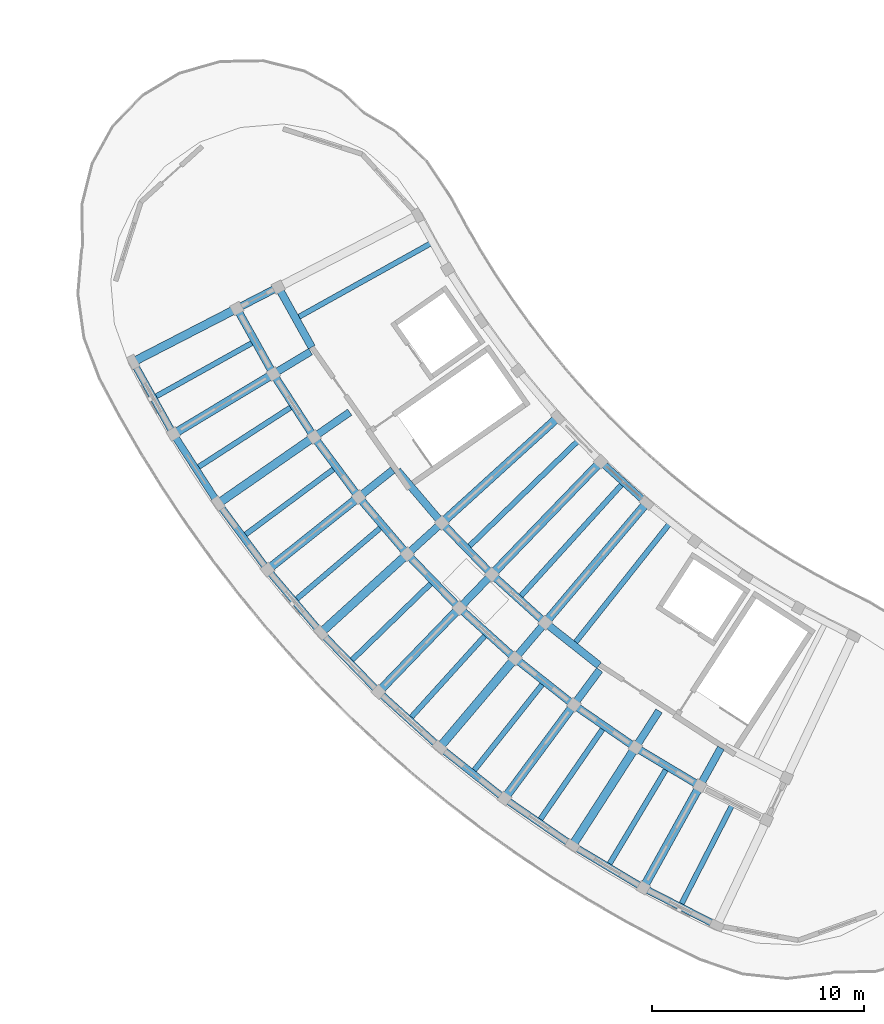
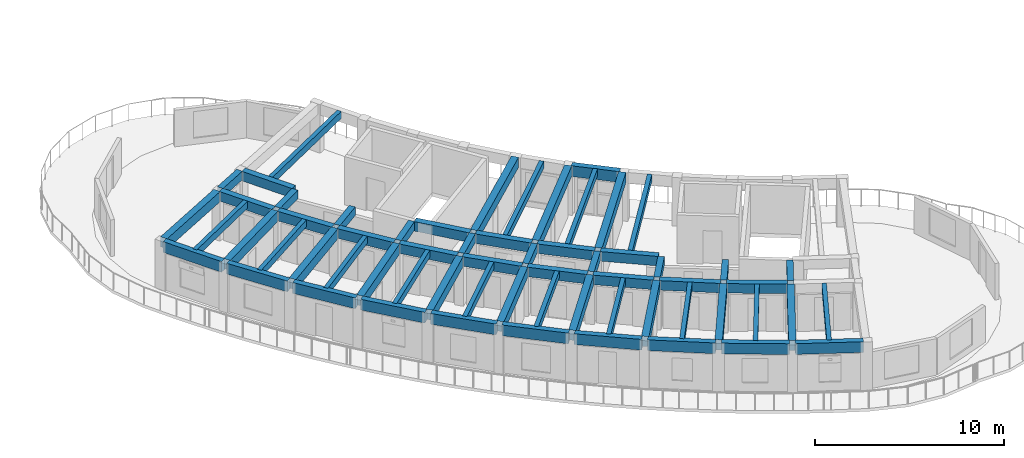
# One storey, part 3 of 41: 62 beams.
"""IFC4 building model written with IfcOpenShell, lengths in metres."""

from ifc_helpers import new_model, si_unit, direction, frame, origin, origin_2d, place, context, subcontext, project, spatial, rectangle, extrude, material, material_profile, profile_set, type_object, element, save


model = new_model("IFC4")

# Units and contexts
model_context = context("Model", 3, precision=1e-05, world=origin(), true_north=direction((0.0, 1.0)))
body_context = subcontext(model_context, "Body", "Model", "MODEL_VIEW")
ifc_project = project(units=[si_unit("LENGTHUNIT", "METRE"), si_unit("AREAUNIT", "SQUARE_METRE"), si_unit("VOLUMEUNIT", "CUBIC_METRE"), si_unit("PLANEANGLEUNIT", "RADIAN"), si_unit("MASSUNIT", "GRAM", prefix="KILO")], contexts=[model_context])

# Site, building, storey
site_placement = place(None, origin())
site = spatial("IfcSite", under=ifc_project, at=site_placement, CompositionType="ELEMENT")
building_placement = place(site_placement, origin())
building = spatial("IfcBuilding", under=site, at=building_placement, Name="Tanwirah Colonnade Gardens", CompositionType="ELEMENT")
storey_placement = place(building_placement, frame((0.0, 0.0, 35.719970703125)))
storey = spatial("IfcBuildingStorey", under=building, at=storey_placement, Name="L10", CompositionType="ELEMENT", Elevation=35.719970703125)

# Beams
ifc_material_1 = material(Name="Precast concrete C40/50", Category="concrete")
ifc_material_profile_1 = material_profile(ifc_material_1, rectangle(XDim=0.360107421875, YDim=0.610107421875, at=origin_2d()), Name="PC-BM 360x610")
ifc_profile_set_1 = profile_set([ifc_material_profile_1], Name="Precast concrete C40/50")
beam_type_1 = type_object("IfcBeamType", Name="BM-PC300", PredefinedType="BEAM", material=ifc_profile_set_1)
beam_1_placement = place(storey_placement, frame((18.9775390625, 40.628173828125, 2.820068359375), z_axis=(0.486708181837, -0.873564620239, 0.0), x_axis=(0.873564620239, 0.486708181837, 0.0)))
element("IfcBeam", 1, at=beam_1_placement, inside=storey, type_object=beam_type_1, Name="Block C L10 Circumferential Beam 3-R1", PredefinedType="BEAM", context=body_context, shape_type="SweptSolid", body=[
    extrude(rectangle(XDim=0.360107421875, YDim=0.610107421875, at=origin_2d()), origin(), (0.0, 0.0, 1.0), 3.093017578125),
])
for number, where, z_axis, x_axis, name in (
    (2, (17.021728515625, 39.620849609375, 2.820068359375), (0.486712025227, -0.873562478875, 0.0), (0.873562478875, 0.486712025227, 0.0), "Block C L10 Circumferential Beam 3-R2"),
    (3, (18.75146484375, 36.5361328125, 2.820068359375), (0.542825891173, -0.839845254718, 0.0), (0.839845254718, 0.542825891173, 0.0), "Block C L10 Circumferential Beam 4-R2"),
):
    element("IfcBeam", number, at=place(storey_placement, frame(where, z_axis=z_axis, x_axis=x_axis)), inside=storey, type_object=beam_type_1, Name=name, PredefinedType="BEAM", context=body_context, shape_type="SweptSolid", body=[
        extrude(rectangle(XDim=0.360107421875, YDim=0.610107421875, at=origin_2d()), origin(), (0.0, 0.0, 1.0), 3.23681640625),
    ])
beam_2_placement = place(storey_placement, frame((20.679443359375, 33.5712890625, 2.820068359375), z_axis=(0.596579473879, -0.802554005252, 0.0), x_axis=(0.802554005252, 0.596579473879, 0.0)))
element("IfcBeam", 4, at=beam_2_placement, inside=storey, type_object=beam_type_1, Name="Block C L10 Circumferential Beam 5-R2", PredefinedType="BEAM", context=body_context, shape_type="SweptSolid", body=[
    extrude(rectangle(XDim=0.360107421875, YDim=0.610107421875, at=origin_2d()), origin(), (0.0, 0.0, 1.0), 3.237060546875),
])
beam_3_placement = place(storey_placement, frame((24.51904296875, 32.1083984375, 2.820068359375), z_axis=(0.647730901566, -0.761869200819, 0.0), x_axis=(0.761869200819, 0.647730901566, 0.0)))
element("IfcBeam", 5, at=beam_3_placement, inside=storey, type_object=beam_type_1, Name="Block C L10 Circumferential Beam 6-R1", PredefinedType="BEAM", context=body_context, shape_type="SweptSolid", body=[
    extrude(rectangle(XDim=0.360107421875, YDim=0.610107421875, at=origin_2d()), origin(), (0.0, 0.0, 1.0), 3.093017578125),
])
beam_4_placement = place(storey_placement, frame((22.797119140625, 30.73876953125, 2.820068359375), z_axis=(0.6478235549, -0.761790418499, 0.0), x_axis=(0.761790418499, 0.6478235549, 0.0)))
element("IfcBeam", 6, at=beam_4_placement, inside=storey, type_object=beam_type_1, Name="Block C L10 Circumferential Beam 6-R2", PredefinedType="BEAM", context=body_context, shape_type="SweptSolid", body=[
    extrude(rectangle(XDim=0.360107421875, YDim=0.610107421875, at=origin_2d()), origin(), (0.0, 0.0, 1.0), 3.23681640625),
])
beam_5_placement = place(storey_placement, frame((26.72412109375, 29.530029296875, 2.820068359375), z_axis=(0.696209937932, -0.71783822852, 0.0), x_axis=(0.71783822852, 0.696209937932, 0.0)))
element("IfcBeam", 7, at=beam_5_placement, inside=storey, type_object=beam_type_1, Name="Block C L10 Circumferential Beam 7-R1", PredefinedType="BEAM", context=body_context, shape_type="SweptSolid", body=[
    extrude(rectangle(XDim=0.360107421875, YDim=0.610107421875, at=origin_2d()), origin(), (0.0, 0.0, 1.0), 3.093017578125),
])
beam_6_placement = place(storey_placement, frame((25.095703125, 28.05078125, 2.820068359375), z_axis=(0.696238887656, -0.717810149911, 0.0), x_axis=(0.717810149911, 0.696238887656, 0.0)))
element("IfcBeam", 8, at=beam_6_placement, inside=storey, type_object=beam_type_1, Name="Block C L10 Circumferential Beam 7-R2", PredefinedType="BEAM", context=body_context, shape_type="SweptSolid", body=[
    extrude(rectangle(XDim=0.360107421875, YDim=0.610107421875, at=origin_2d()), origin(), (0.0, 0.0, 1.0), 3.23681640625),
])
beam_7_placement = place(storey_placement, frame((29.09326171875, 27.1015625, 2.820068359375), z_axis=(0.741698455559, -0.670733479873, 0.0), x_axis=(0.670733479873, 0.741698455559, 0.0)))
element("IfcBeam", 9, at=beam_7_placement, inside=storey, type_object=beam_type_1, Name="Block C L10 Circumferential Beam 8-R1", PredefinedType="BEAM", context=body_context, shape_type="SweptSolid", body=[
    extrude(rectangle(XDim=0.360107421875, YDim=0.610107421875, at=origin_2d()), origin(), (0.0, 0.0, 1.0), 3.0927734375),
])
beam_8_placement = place(storey_placement, frame((27.56494140625, 25.51904296875, 2.820068359375), z_axis=(0.741701929733, -0.670729638104, 0.0), x_axis=(0.670729638104, 0.741701929733, 0.0)))
element("IfcBeam", 10, at=beam_8_placement, inside=storey, type_object=beam_type_1, Name="Block C L10 Circumferential Beam 8-R2", PredefinedType="BEAM", context=body_context, shape_type="SweptSolid", body=[
    extrude(rectangle(XDim=0.360107421875, YDim=0.610107421875, at=origin_2d()), origin(), (0.0, 0.0, 1.0), 3.237060546875),
])
beam_9_placement = place(storey_placement, frame((31.615966796875, 24.833251953125, 2.820068359375), z_axis=(0.783962588163, -0.62080807047, 0.0), x_axis=(0.62080807047, 0.783962588163, 0.0)))
element("IfcBeam", 11, at=beam_9_placement, inside=storey, type_object=beam_type_1, Name="Block C L10 Circumferential Beam 9-R1", PredefinedType="BEAM", context=body_context, shape_type="SweptSolid", body=[
    extrude(rectangle(XDim=0.360107421875, YDim=0.610107421875, at=origin_2d()), origin(), (0.0, 0.0, 1.0), 3.093017578125),
])
beam_10_placement = place(storey_placement, frame((30.194580078125, 23.154052734375, 2.820068359375), z_axis=(0.783993819374, -0.620768629349, 0.0), x_axis=(0.620768629349, 0.783993819374, 0.0)))
element("IfcBeam", 12, at=beam_10_placement, inside=storey, type_object=beam_type_1, Name="Block C L10 Circumferential Beam 9-R2", PredefinedType="BEAM", context=body_context, shape_type="SweptSolid", body=[
    extrude(rectangle(XDim=0.360107421875, YDim=0.610107421875, at=origin_2d()), origin(), (0.0, 0.0, 1.0), 3.23681640625),
])
beam_11_placement = place(storey_placement, frame((32.97314453125, 20.96630859375, 2.820068359375), z_axis=(0.822889344221, -0.568201660651, 0.0), x_axis=(0.568201660651, 0.822889344221, 0.0)))
element("IfcBeam", 13, at=beam_11_placement, inside=storey, type_object=beam_type_1, Name="Block C L10 Circumferential Beam 10-R2", PredefinedType="BEAM", context=body_context, shape_type="SweptSolid", body=[
    extrude(rectangle(XDim=0.360107421875, YDim=0.610107421875, at=origin_2d()), origin(), (0.0, 0.0, 1.0), 3.237060546875),
])
beam_12_placement = place(storey_placement, frame((35.88916015625, 18.96484375, 2.820068359375), z_axis=(0.858270604513, -0.513197398111, 0.0), x_axis=(0.513197398111, 0.858270604513, 0.0)))
element("IfcBeam", 14, at=beam_12_placement, inside=storey, type_object=beam_type_1, Name="Block C L10 Circumferential Beam 11-R2", PredefinedType="BEAM", context=body_context, shape_type="SweptSolid", body=[
    extrude(rectangle(XDim=0.360107421875, YDim=0.610107421875, at=origin_2d()), origin(), (0.0, 0.0, 1.0), 3.23681640625),
])
ifc_material_profile_2 = material_profile(ifc_material_1, rectangle(XDim=0.35009765625, YDim=0.550048828125, at=origin_2d()), Name="PC-BM 350x550")
ifc_profile_set_2 = profile_set([ifc_material_profile_2], Name="Precast concrete C40/50")
beam_type_2 = type_object("IfcBeamType", Name="BM-PC350A", PredefinedType="BEAM", material=ifc_profile_set_2)
for number, where, z_axis, x_axis, name in (
    (15, (18.77099609375, 40.690673828125, 2.85009765625), (-0.888965044602, -0.457975053334, 0.0), (0.457975053334, -0.888965044602, 0.0), "Block C L10 Corridor Tie Beam 3"),
    (16, (20.42724609375, 37.718017578125, 2.85009765625), (-0.857186654737, -0.515005863017, 0.0), (0.515005863017, -0.857186654737, 0.0), "Block C L10 Corridor Tie Beam 4"),
):
    element("IfcBeam", number, at=place(storey_placement, frame(where, z_axis=z_axis, x_axis=x_axis)), inside=storey, type_object=beam_type_2, Name=name, PredefinedType="BEAM", context=body_context, shape_type="SweptSolid", body=[
        extrude(rectangle(XDim=0.35009765625, YDim=0.550048828125, at=origin_2d()), origin(), (0.0, 0.0, 1.0), 1.89990234375),
    ])
beam_13_placement = place(storey_placement, frame((22.2744140625, 34.860107421875, 2.85009765625), z_axis=(-0.821669163201, -0.569964723684, 0.0), x_axis=(0.569964723684, -0.821669163201, 0.0)))
element("IfcBeam", 17, at=beam_13_placement, inside=storey, type_object=beam_type_2, Name="Block C L10 Corridor Tie Beam 5", PredefinedType="BEAM", context=body_context, shape_type="SweptSolid", body=[
    extrude(rectangle(XDim=0.35009765625, YDim=0.550048828125, at=origin_2d()), origin(), (0.0, 0.0, 1.0), 1.900146484375),
])
beam_14_placement = place(storey_placement, frame((24.304443359375, 32.129150390625, 2.85009765625), z_axis=(-0.782670764896, -0.622435919415, 0.0), x_axis=(0.622435919415, -0.782670764896, 0.0)))
element("IfcBeam", 18, at=beam_14_placement, inside=storey, type_object=beam_type_2, Name="Block C L10 Corridor Tie Beam 6", PredefinedType="BEAM", context=body_context, shape_type="SweptSolid", body=[
    extrude(rectangle(XDim=0.35009765625, YDim=0.550048828125, at=origin_2d()), origin(), (0.0, 0.0, 1.0), 1.89990234375),
])
beam_15_placement = place(storey_placement, frame((26.508544921875, 29.536865234375, 2.85009765625), z_axis=(-0.740219127015, -0.672365707038, 0.0), x_axis=(0.672365707038, -0.740219127015, 0.0)))
element("IfcBeam", 19, at=beam_15_placement, inside=storey, type_object=beam_type_2, Name="Block C L10 Corridor Tie Beam 7", PredefinedType="BEAM", context=body_context, shape_type="SweptSolid", body=[
    extrude(rectangle(XDim=0.35009765625, YDim=0.550048828125, at=origin_2d()), origin(), (0.0, 0.0, 1.0), 1.899658203125),
])
beam_16_placement = place(storey_placement, frame((28.877685546875, 27.09423828125, 2.85009765625), z_axis=(-0.694663306685, -0.719335033448, 0.0), x_axis=(0.719335033448, -0.694663306685, 0.0)))
element("IfcBeam", 20, at=beam_16_placement, inside=storey, type_object=beam_type_2, Name="Block C L10 Corridor Tie Beam 8", PredefinedType="BEAM", context=body_context, shape_type="SweptSolid", body=[
    extrude(rectangle(XDim=0.35009765625, YDim=0.550048828125, at=origin_2d()), origin(), (0.0, 0.0, 1.0), 1.89990234375),
])
for number, where, z_axis, x_axis, name in (
    (21, (31.401611328125, 24.81201171875, 2.85009765625), (-0.646155325581, -0.763205932382, 0.0), (0.763205932382, -0.646155325581, 0.0), "Block C L10 Corridor Tie Beam 9"),
    (22, (34.0693359375, 22.699462890625, 2.85009765625), (-0.594889497099, -0.803807493273, 0.0), (0.803807493273, -0.594889497099, 0.0), "Block C L10 Corridor Tie Beam 10"),
):
    element("IfcBeam", number, at=place(storey_placement, frame(where, z_axis=z_axis, x_axis=x_axis)), inside=storey, type_object=beam_type_2, Name=name, PredefinedType="BEAM", context=body_context, shape_type="SweptSolid", body=[
        extrude(rectangle(XDim=0.35009765625, YDim=0.550048828125, at=origin_2d()), origin(), (0.0, 0.0, 1.0), 1.900146484375),
    ])
beam_17_placement = place(storey_placement, frame((36.869384765625, 20.765869140625, 2.85009765625), z_axis=(-0.540984881989, -0.841032316537, 0.0), x_axis=(0.841032316537, -0.540984881989, 0.0)))
element("IfcBeam", 23, at=beam_17_placement, inside=storey, type_object=beam_type_2, Name="Block C L10 Corridor Tie Beam 11", PredefinedType="BEAM", context=body_context, shape_type="SweptSolid", body=[
    extrude(rectangle(XDim=0.35009765625, YDim=0.550048828125, at=origin_2d()), origin(), (0.0, 0.0, 1.0), 1.89990234375),
])
beam_18_placement = place(storey_placement, frame((39.789794921875, 19.019775390625, 2.85009765625), z_axis=(-0.484791759649, -0.874629607192, 0.0), x_axis=(0.874629607192, -0.484791759649, 0.0)))
element("IfcBeam", 24, at=beam_18_placement, inside=storey, type_object=beam_type_2, Name="Block C L10 Corridor Tie Beam 12", PredefinedType="BEAM", context=body_context, shape_type="SweptSolid", body=[
    extrude(rectangle(XDim=0.35009765625, YDim=0.550048828125, at=origin_2d()), origin(), (0.0, 0.0, 1.0), 1.900146484375),
])
ifc_material_2 = material(Name="Precast concrete C45/55", Category="concrete")
ifc_material_profile_3 = material_profile(ifc_material_2, rectangle(XDim=0.39990234375, YDim=0.64990234375, at=origin_2d()), Name="PC-BM 400x650")
ifc_profile_set_3 = profile_set([ifc_material_profile_3], Name="Precast concrete C45/55")
beam_type_3 = type_object("IfcBeamType", Name="BM-PC400", PredefinedType="BEAM", material=ifc_profile_set_3)
for number, where, z_axis, x_axis, name in (
    (25, (16.815185546875, 39.683349609375, 2.800048828125), (-0.889001198624, -0.457904868771, 0.0), (0.457904868771, -0.889001198624, 0.0), "Block C L10 Outer Radial Precast Girder 3"),
    (26, (18.54150390625, 36.5849609375, 2.800048828125), (-0.857165483371, -0.515041099445, 0.0), (0.515041099445, -0.857165483371, 0.0), "Block C L10 Outer Radial Precast Girder 4"),
):
    element("IfcBeam", number, at=place(storey_placement, frame(where, z_axis=z_axis, x_axis=x_axis)), inside=storey, type_object=beam_type_3, Name=name, PredefinedType="BEAM", context=body_context, shape_type="SweptSolid", body=[
        extrude(rectangle(XDim=0.39990234375, YDim=0.64990234375, at=origin_2d()), origin(), (0.0, 0.0, 1.0), 5.199951171875),
    ])
beam_19_placement = place(storey_placement, frame((20.466796875, 33.606201171875, 2.800048828125), z_axis=(-0.821644204852, -0.570000702309, 0.0), x_axis=(0.570000702309, -0.821644204852, 0.0)))
element("IfcBeam", 27, at=beam_19_placement, inside=storey, type_object=beam_type_3, Name="Block C L10 Outer Radial Precast Girder 5", PredefinedType="BEAM", context=body_context, shape_type="SweptSolid", body=[
    extrude(rectangle(XDim=0.39990234375, YDim=0.64990234375, at=origin_2d()), origin(), (0.0, 0.0, 1.0), 5.2001953125),
])
beam_20_placement = place(storey_placement, frame((22.58251953125, 30.759765625, 2.800048828125), z_axis=(-0.782592736164, -0.622534022606, 0.0), x_axis=(0.622534022606, -0.782592736164, 0.0)))
element("IfcBeam", 28, at=beam_20_placement, inside=storey, type_object=beam_type_3, Name="Block C L10 Outer Radial Precast Girder 6", PredefinedType="BEAM", context=body_context, shape_type="SweptSolid", body=[
    extrude(rectangle(XDim=0.39990234375, YDim=0.64990234375, at=origin_2d()), origin(), (0.0, 0.0, 1.0), 5.19970703125),
])
beam_21_placement = place(storey_placement, frame((26.730712890625, 29.738525390625, 2.800048828125), z_axis=(0.740213850321, 0.672371516197, 0.0), x_axis=(-0.672371516197, 0.740213850321, 0.0)))
element("IfcBeam", 29, at=beam_21_placement, inside=storey, type_object=beam_type_3, Name="Block C L10 Inner Radial Precast Girder 7", PredefinedType="BEAM", context=body_context, shape_type="SweptSolid", body=[
    extrude(rectangle(XDim=0.39990234375, YDim=0.64990234375, at=origin_2d()), origin(), (0.0, 0.0, 1.0), 7.10009765625),
])
beam_22_placement = place(storey_placement, frame((24.880126953125, 28.0576171875, 2.800048828125), z_axis=(-0.740237431414, -0.672345554855, 0.0), x_axis=(0.672345554855, -0.740237431414, 0.0)))
element("IfcBeam", 30, at=beam_22_placement, inside=storey, type_object=beam_type_3, Name="Block C L10 Outer Radial Precast Girder 7", PredefinedType="BEAM", context=body_context, shape_type="SweptSolid", body=[
    extrude(rectangle(XDim=0.39990234375, YDim=0.64990234375, at=origin_2d()), origin(), (0.0, 0.0, 1.0), 5.199951171875),
])
beam_23_placement = place(storey_placement, frame((29.086181640625, 27.31005859375, 2.800048828125), z_axis=(0.694654648761, 0.719343394322, 0.0), x_axis=(-0.719343394322, 0.694654648761, 0.0)))
element("IfcBeam", 31, at=beam_23_placement, inside=storey, type_object=beam_type_3, Name="Block C L10 Inner Radial Precast Girder 8", PredefinedType="BEAM", context=body_context, shape_type="SweptSolid", body=[
    extrude(rectangle(XDim=0.39990234375, YDim=0.64990234375, at=origin_2d()), origin(), (0.0, 0.0, 1.0), 7.10009765625),
])
beam_24_placement = place(storey_placement, frame((27.349609375, 25.51171875, 2.800048828125), z_axis=(-0.69467494586, -0.719323793291, 0.0), x_axis=(0.719323793291, -0.69467494586, 0.0)))
element("IfcBeam", 32, at=beam_24_placement, inside=storey, type_object=beam_type_3, Name="Block C L10 Outer Radial Precast Girder 8", PredefinedType="BEAM", context=body_context, shape_type="SweptSolid", body=[
    extrude(rectangle(XDim=0.39990234375, YDim=0.64990234375, at=origin_2d()), origin(), (0.0, 0.0, 1.0), 5.199951171875),
])
beam_25_placement = place(storey_placement, frame((31.595458984375, 25.040771484375, 2.800048828125), z_axis=(0.646117950032, 0.763237574184, 0.0), x_axis=(-0.763237574184, 0.646117950032, 0.0)))
element("IfcBeam", 33, at=beam_25_placement, inside=storey, type_object=beam_type_3, Name="Block C L10 Inner Radial Precast Girder 9", PredefinedType="BEAM", context=body_context, shape_type="SweptSolid", body=[
    extrude(rectangle(XDim=0.39990234375, YDim=0.64990234375, at=origin_2d()), origin(), (0.0, 0.0, 1.0), 7.099853515625),
])
for number, where, z_axis, x_axis, name in (
    (34, (29.97998046875, 23.1328125, 2.800048828125), (-0.64613164223, -0.763225982858, 0.0), (0.763225982858, -0.64613164223, 0.0), "Block C L10 Outer Radial Precast Girder 9"),
    (35, (32.760498046875, 20.930908203125, 2.800048828125), (-0.594826622676, -0.803854022168, 0.0), (0.803854022168, -0.594826622676, 0.0), "Block C L10 Outer Radial Precast Girder 10"),
    (36, (35.67919921875, 18.915771484375, 2.800048828125), (-0.540952154563, -0.841053367197, 0.0), (0.841053367197, -0.540952154563, 0.0), "Block C L10 Outer Radial Precast Girder 11"),
    (37, (38.723388671875, 17.095703125, 2.800048828125), (-0.484801599806, -0.874624152894, 0.0), (0.874624152894, -0.484801599806, 0.0), "Block C L10 Outer Radial Precast Girder 12"),
):
    element("IfcBeam", number, at=place(storey_placement, frame(where, z_axis=z_axis, x_axis=x_axis)), inside=storey, type_object=beam_type_3, Name=name, PredefinedType="BEAM", context=body_context, shape_type="SweptSolid", body=[
        extrude(rectangle(XDim=0.39990234375, YDim=0.64990234375, at=origin_2d()), origin(), (0.0, 0.0, 1.0), 5.199951171875),
    ])
ifc_material_profile_4 = material_profile(ifc_material_1, rectangle(XDim=0.25, YDim=0.449951171875, at=origin_2d()), Name="PC-JST 250x450")
ifc_profile_set_4 = profile_set([ifc_material_profile_4], Name="Precast concrete C40/50")
beam_type_4 = type_object("IfcBeamType", Name="JST-PC250", PredefinedType="JOIST", material=ifc_profile_set_4)
beam_26_placement = place(storey_placement, frame((17.67919921875, 38.134521484375, 2.900146484375), z_axis=(-0.87356769437, -0.486702664214, 0.0), x_axis=(0.486702664214, -0.87356769437, 0.0)))
element("IfcBeam", 38, at=beam_26_placement, inside=storey, type_object=beam_type_4, Name="Block C L10 Precast Floor Joist 3", PredefinedType="JOIST", context=body_context, shape_type="SweptSolid", body=[
    extrude(rectangle(XDim=0.25, YDim=0.449951171875, at=origin_2d()), origin(), (0.0, 0.0, 1.0), 5.260009765625),
])
beam_27_placement = place(storey_placement, frame((26.0654296875, 42.80712890625, 2.900146484375), z_axis=(-0.873559899034, -0.486716655561, 0.0), x_axis=(0.486716655561, -0.873559899034, 0.0)))
element("IfcBeam", 39, at=beam_27_placement, inside=storey, type_object=beam_type_4, Name="Block C L10 Inner Precast Floor Joist 3", PredefinedType="JOIST", context=body_context, shape_type="SweptSolid", body=[
    extrude(rectangle(XDim=0.25, YDim=0.449951171875, at=origin_2d()), origin(), (0.0, 0.0, 1.0), 7.159912109375),
])
for number, where, z_axis, x_axis, name in (
    (40, (19.5048828125, 35.09619140625, 2.900146484375), (-0.839842770955, -0.542829733963, 0.0), (0.542829733963, -0.839842770955, 0.0), "Block C L10 Precast Floor Joist 4"),
    (41, (21.525390625, 32.18359375, 2.900146484375), (-0.802560347737, -0.596570941499, 0.0), (0.596570941499, -0.802560347737, 0.0), "Block C L10 Precast Floor Joist 5"),
    (42, (23.732177734375, 29.409423828125, 2.900146484375), (-0.761803021124, -0.647808734895, 0.0), (0.647808734895, -0.761803021124, 0.0), "Block C L10 Precast Floor Joist 6"),
    (43, (26.115478515625, 26.785400390625, 2.900146484375), (-0.717816036263, -0.696232818878, 0.0), (0.696232818878, -0.717816036263, 0.0), "Block C L10 Precast Floor Joist 7"),
):
    element("IfcBeam", number, at=place(storey_placement, frame(where, z_axis=z_axis, x_axis=x_axis)), inside=storey, type_object=beam_type_4, Name=name, PredefinedType="JOIST", context=body_context, shape_type="SweptSolid", body=[
        extrude(rectangle(XDim=0.25, YDim=0.449951171875, at=origin_2d()), origin(), (0.0, 0.0, 1.0), 5.260009765625),
    ])
beam_28_placement = place(storey_placement, frame((33.006591796875, 33.46923828125, 2.900146484375), z_axis=(-0.717816218075, -0.69623263143, 0.0), x_axis=(0.69623263143, -0.717816218075, 0.0)))
element("IfcBeam", 44, at=beam_28_placement, inside=storey, type_object=beam_type_4, Name="Block C L10 Inner Precast Floor Joist 7", PredefinedType="JOIST", context=body_context, shape_type="SweptSolid", body=[
    extrude(rectangle(XDim=0.25, YDim=0.449951171875, at=origin_2d()), origin(), (0.0, 0.0, 1.0), 7.16015625),
])
beam_29_placement = place(storey_placement, frame((28.66552734375, 24.322998046875, 2.900146484375), z_axis=(-0.670780841255, -0.741655622918, 0.0), x_axis=(0.741655622918, -0.670780841255, 0.0)))
element("IfcBeam", 45, at=beam_29_placement, inside=storey, type_object=beam_type_4, Name="Block C L10 Precast Floor Joist 8", PredefinedType="JOIST", context=body_context, shape_type="SweptSolid", body=[
    extrude(rectangle(XDim=0.25, YDim=0.449951171875, at=origin_2d()), origin(), (0.0, 0.0, 1.0), 5.260009765625),
])
beam_30_placement = place(storey_placement, frame((35.104736328125, 31.443115234375, 2.900146484375), z_axis=(-0.670773136608, -0.741662591214, 0.0), x_axis=(0.741662591214, -0.670773136608, 0.0)))
element("IfcBeam", 46, at=beam_30_placement, inside=storey, type_object=beam_type_4, Name="Block C L10 Inner Precast Floor Joist 8", PredefinedType="JOIST", context=body_context, shape_type="SweptSolid", body=[
    extrude(rectangle(XDim=0.25, YDim=0.449951171875, at=origin_2d()), origin(), (0.0, 0.0, 1.0), 7.159912109375),
])
beam_31_placement = place(storey_placement, frame((31.370849609375, 22.03271484375, 2.900146484375), z_axis=(-0.620787347885, -0.783978997617, 0.0), x_axis=(0.783978997617, -0.620787347885, 0.0)))
element("IfcBeam", 47, at=beam_31_placement, inside=storey, type_object=beam_type_4, Name="Block C L10 Precast Floor Joist 9", PredefinedType="JOIST", context=body_context, shape_type="SweptSolid", body=[
    extrude(rectangle(XDim=0.25, YDim=0.449951171875, at=origin_2d()), origin(), (0.0, 0.0, 1.0), 5.260009765625),
])
beam_32_placement = place(storey_placement, frame((37.33056640625, 29.55859375, 2.900146484375), z_axis=(-0.620803379809, -0.783966302603, 0.0), x_axis=(0.783966302603, -0.620803379809, 0.0)))
element("IfcBeam", 48, at=beam_32_placement, inside=storey, type_object=beam_type_4, Name="Block C L10 Inner Precast Floor Joist 9", PredefinedType="JOIST", context=body_context, shape_type="SweptSolid", body=[
    extrude(rectangle(XDim=0.25, YDim=0.449951171875, at=origin_2d()), origin(), (0.0, 0.0, 1.0), 7.159912109375),
])
for number, where, z_axis, x_axis, name in (
    (49, (34.220458984375, 19.924072265625, 2.900146484375), (-0.56820792868, -0.822885016138, 0.0), (0.822885016138, -0.56820792868, 0.0), "Block C L10 Precast Floor Joist 10"),
    (50, (37.20166015625, 18.006591796875, 2.900146484375), (-0.513157303227, -0.858294577721, 0.0), (0.858294577721, -0.513157303227, 0.0), "Block C L10 Precast Floor Joist 11"),
    (51, (40.302001953125, 16.287841796875, 2.900146484375), (-0.455936851617, -0.890012127635, 0.0), (0.890012127635, -0.455936851617, 0.0), "Block C L10 Precast Floor Joist 12"),
):
    element("IfcBeam", number, at=place(storey_placement, frame(where, z_axis=z_axis, x_axis=x_axis)), inside=storey, type_object=beam_type_4, Name=name, PredefinedType="JOIST", context=body_context, shape_type="SweptSolid", body=[
        extrude(rectangle(XDim=0.25, YDim=0.449951171875, at=origin_2d()), origin(), (0.0, 0.0, 1.0), 5.260009765625),
    ])
ifc_material_profile_5 = material_profile(ifc_material_1, rectangle(XDim=0.330078125, YDim=0.68994140625, at=origin_2d()), Name="PC-SP 330x690")
ifc_profile_set_5 = profile_set([ifc_material_profile_5], Name="Precast concrete C40/50")
beam_type_5 = type_object("IfcBeamType", Name="SP-PC280", PredefinedType="SPANDREL", material=ifc_profile_set_5)
beam_33_placement = place(storey_placement, frame((12.132080078125, 37.1025390625, 2.780029296875), z_axis=(0.486679958674, -0.87358034423, 0.0), x_axis=(0.87358034423, 0.486679958674, 0.0)))
element("IfcBeam", 52, at=beam_33_placement, inside=storey, type_object=beam_type_5, Name="Block C L10 Circumferential Beam 3-R3", PredefinedType="SPANDREL", context=body_context, shape_type="SweptSolid", body=[
    extrude(rectangle(XDim=0.330078125, YDim=0.68994140625, at=origin_2d()), origin(), (0.0, 0.0, 1.0), 3.5966796875),
])
for number, where, z_axis, x_axis, name in (
    (53, (14.037109375, 33.70361328125, 2.780029296875), (0.542786838894, -0.839870494495, 0.0), (0.839870494495, 0.542786838894, 0.0), "Block C L10 Circumferential Beam 4-R3"),
    (54, (16.160400390625, 30.436279296875, 2.780029296875), (0.596562665898, -0.802566499212, 0.0), (0.802566499212, 0.596562665898, 0.0), "Block C L10 Circumferential Beam 5-R3"),
):
    element("IfcBeam", number, at=place(storey_placement, frame(where, z_axis=z_axis, x_axis=x_axis)), inside=storey, type_object=beam_type_5, Name=name, PredefinedType="SPANDREL", context=body_context, shape_type="SweptSolid", body=[
        extrude(rectangle(XDim=0.330078125, YDim=0.68994140625, at=origin_2d()), origin(), (0.0, 0.0, 1.0), 3.596923828125),
    ])
for number, where, z_axis, x_axis, name in (
    (55, (18.492919921875, 27.31494140625, 2.780029296875), (0.647784367984, -0.76182374116, 0.0), (0.76182374116, 0.647784367984, 0.0), "Block C L10 Circumferential Beam 6-R3"),
    (56, (21.0244140625, 24.352783203125, 2.780029296875), (0.696231699401, -0.717817122079, 0.0), (0.717817122079, 0.696231699401, 0.0), "Block C L10 Circumferential Beam 7-R3"),
):
    element("IfcBeam", number, at=place(storey_placement, frame(where, z_axis=z_axis, x_axis=x_axis)), inside=storey, type_object=beam_type_5, Name=name, PredefinedType="SPANDREL", context=body_context, shape_type="SweptSolid", body=[
        extrude(rectangle(XDim=0.330078125, YDim=0.68994140625, at=origin_2d()), origin(), (0.0, 0.0, 1.0), 3.5966796875),
    ])
beam_34_placement = place(storey_placement, frame((34.233642578125, 32.4248046875, 2.780029296875), z_axis=(0.741686528432, -0.670746668678, 0.0), x_axis=(0.670746668678, 0.741686528432, 0.0)))
element("IfcBeam", 57, at=beam_34_placement, inside=storey, type_object=beam_type_5, Name="Block C L10 Circumferential Beam 8-R0", PredefinedType="SPANDREL", context=body_context, shape_type="SweptSolid", body=[
    extrude(rectangle(XDim=0.330078125, YDim=0.68994140625, at=origin_2d()), origin(), (0.0, 0.0, 1.0), 2.608642578125),
])
for number, where, z_axis, x_axis, name in (
    (58, (23.744384765625, 21.562744140625, 2.780029296875), (0.741682092868, -0.670751573325, 0.0), (0.670751573325, 0.741682092868, 0.0), "Block C L10 Circumferential Beam 8-R3"),
    (59, (26.640869140625, 18.956298828125, 2.780029296875), (0.783971495357, -0.620796822211, 0.0), (0.620796822211, 0.783971495357, 0.0), "Block C L10 Circumferential Beam 9-R3"),
    (60, (29.70166015625, 16.545166015625, 2.780029296875), (0.822907478943, -0.568175396423, 0.0), (0.568175396423, 0.822907478943, 0.0), "Block C L10 Circumferential Beam 10-R3"),
):
    element("IfcBeam", number, at=place(storey_placement, frame(where, z_axis=z_axis, x_axis=x_axis)), inside=storey, type_object=beam_type_5, Name=name, PredefinedType="SPANDREL", context=body_context, shape_type="SweptSolid", body=[
        extrude(rectangle(XDim=0.330078125, YDim=0.68994140625, at=origin_2d()), origin(), (0.0, 0.0, 1.0), 3.596923828125),
    ])
for number, where, z_axis, x_axis, name in (
    (61, (32.913818359375, 14.339111328125, 2.780029296875), (0.858282522832, -0.513177465407, 0.0), (0.513177465407, 0.858282522832, 0.0), "Block C L10 Circumferential Beam 11-R3"),
    (62, (36.26318359375, 12.347900390625, 2.780029296875), (0.890013134589, -0.455934885985, 0.0), (0.455934885985, 0.890013134589, 0.0), "Block C L10 Circumferential Beam 12-R3"),
):
    element("IfcBeam", number, at=place(storey_placement, frame(where, z_axis=z_axis, x_axis=x_axis)), inside=storey, type_object=beam_type_5, Name=name, PredefinedType="SPANDREL", context=body_context, shape_type="SweptSolid", body=[
        extrude(rectangle(XDim=0.330078125, YDim=0.68994140625, at=origin_2d()), origin(), (0.0, 0.0, 1.0), 3.5966796875),
    ])

save(model, "model.ifc")
